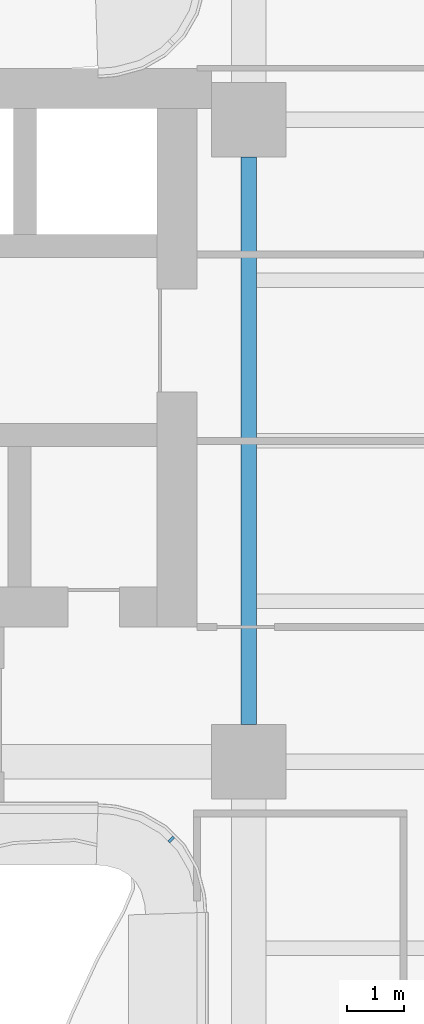
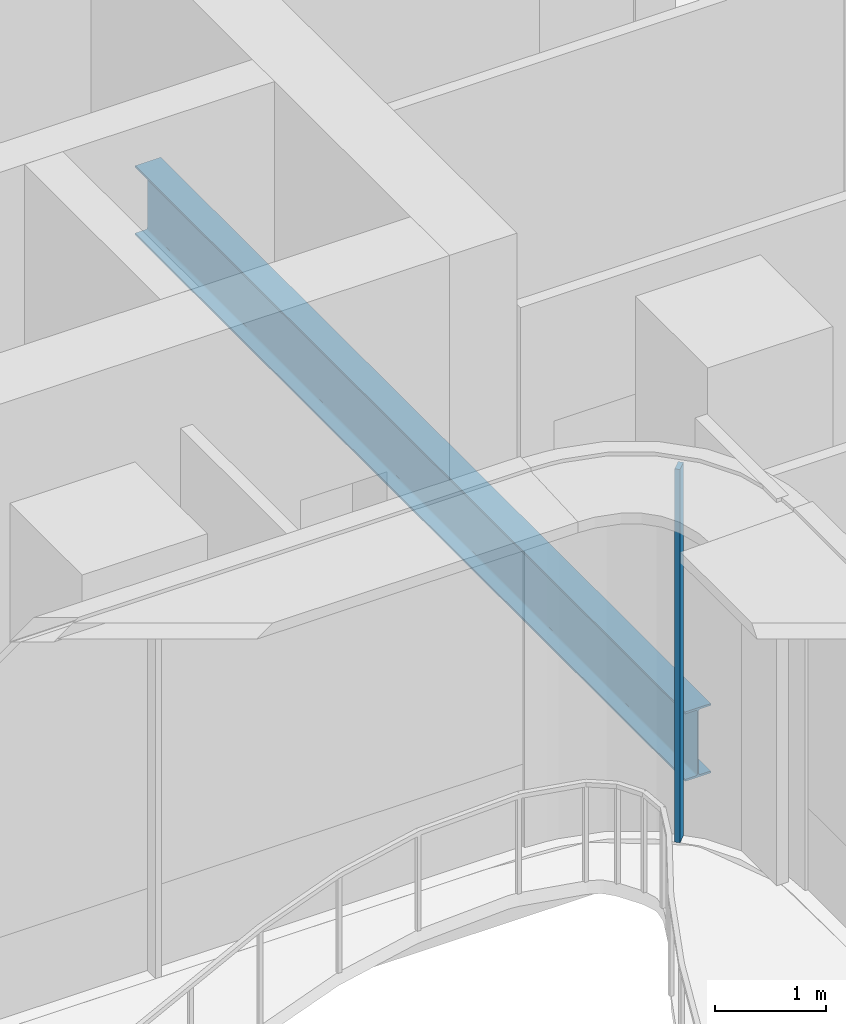
# One storey, part 4 of 22: 1 beam, 1 member, 1 element without a shape of its own.
"""IFC4 building model written with IfcOpenShell, lengths in metres."""

from ifc_helpers import new_model, si_unit, direction, frame, origin, origin_2d, place, context, subcontext, project, spatial, rectangle, i_section, extrude, source, transform, mapped, material, layer, layer_set, material_profile, profile_set, type_object, element, aggregate, save


model = new_model("IFC4")

# Units and contexts
model_context = context("Model", 3, precision=1e-05, world=origin(), true_north=direction((0.0, 1.0)))
body_context = subcontext(model_context, "Body", "Model", "MODEL_VIEW")
ifc_project = project(units=[si_unit("LENGTHUNIT", "METRE"), si_unit("AREAUNIT", "SQUARE_METRE"), si_unit("VOLUMEUNIT", "CUBIC_METRE"), si_unit("PLANEANGLEUNIT", "RADIAN"), si_unit("MASSUNIT", "GRAM", prefix="KILO")], contexts=[model_context])

# Site, building, storey
site_placement = place(None, origin())
site = spatial("IfcSite", under=ifc_project, at=site_placement, CompositionType="ELEMENT")
building_placement = place(site_placement, origin())
building = spatial("IfcBuilding", under=site, at=building_placement, Name="Trellis Farm Tower", CompositionType="ELEMENT")
storey_placement = place(building_placement, frame((0.0, 0.0, 124.5)))
storey = spatial("IfcBuildingStorey", under=building, at=storey_placement, Name="L26", CompositionType="ELEMENT", Elevation=124.5)

# Beam
ifc_material_1 = material(Name="Steel S355", Category="steel")
ifc_material_profile_1 = material_profile(ifc_material_1, i_section(OverallWidth=0.2666015625, OverallDepth=0.76220703125, WebThickness=0.014404296875, FlangeThickness=0.021484375, FilletRadius=0.0166015625, at=origin_2d()), Name="UB 762x267x173")
ifc_profile_set_1 = profile_set([ifc_material_profile_1], Name="Steel S355")
beam_type = type_object("IfcBeamType", Name="UB 762x267x173", PredefinedType="BEAM", material=ifc_profile_set_1)
shared_shape_1 = source(origin(), body_context, "Body", "SweptSolid", [
    extrude(i_section(OverallWidth=0.2666015625, OverallDepth=0.76220703125, WebThickness=0.014404296875, FlangeThickness=0.021484375, FilletRadius=0.0166015625, at=origin_2d()), origin(), (0.0, 0.0, 1.0), 9.89990234375),
])
beam_placement = place(storey_placement, frame((-5.60009765625, -4.949951171875, -0.631103515625), z_axis=(0.0, 1.0, 0.0), x_axis=(-1.0, 0.0, 0.0)))
element("IfcBeam", 1, at=beam_placement, inside=storey, type_object=beam_type, Name="Girder", PredefinedType="BEAM", context=body_context, shape_type="MappedRepresentation", body=[
    mapped(shared_shape_1, transform((0.0, 0.0, 0.0))),
])

# Curtain wall, member
ifc_material_2 = material(Name="Aluminium and glass curtain wall", Category="aluminium")
ifc_layer = layer(ifc_material_2, 0.166015625)
ifc_layer_set = layer_set([ifc_layer], Name="WINTER GARDEN CURTAIN WALL CW3")
curtain_wall_type = type_object("IfcCurtainWallType", Name="WINTER GARDEN CURTAIN WALL CW3", PredefinedType="NOTDEFINED", material=ifc_layer_set)
curtain_wall_placement = place(storey_placement, origin())
curtain_wall = element("IfcCurtainWall", 2, at=curtain_wall_placement, inside=storey, type_object=curtain_wall_type, Name="CW3 001", PredefinedType="NOTDEFINED")
ifc_material_3 = material(Name="Aluminium extrusion 6063-T6", Category="aluminium")
ifc_material_profile_2 = material_profile(ifc_material_3, rectangle(XDim=0.050048828125, YDim=0.1201171875, at=origin_2d()), Name="MULLION 50x120")
ifc_profile_set_2 = profile_set([ifc_material_profile_2], Name="Aluminium extrusion 6063-T6")
member_type = type_object("IfcMemberType", Name="CW3 MULLION 50x120", PredefinedType="MULLION", material=ifc_profile_set_2)
shared_shape_2 = source(origin(), body_context, "Body", "SweptSolid", [
    extrude(rectangle(XDim=0.050048828125, YDim=0.1201171875, at=origin_2d()), origin(), (0.0, 0.0, 1.0), 4.10009765625),
])
member_placement = place(storey_placement, frame((-6.953125, -6.953125, 0.0), z_axis=(0.0, 0.0, 1.0), x_axis=(0.707106781187, -0.707106781187, 0.0)))
member = element("IfcMember", 3, at=member_placement, type_object=member_type, Name="MU3 001-01", PredefinedType="MULLION", context=body_context, shape_type="MappedRepresentation", body=[
    mapped(shared_shape_2, transform((0.0, 0.0, 0.0))),
])
aggregate(curtain_wall, [member])

save(model, "model.ifc")
